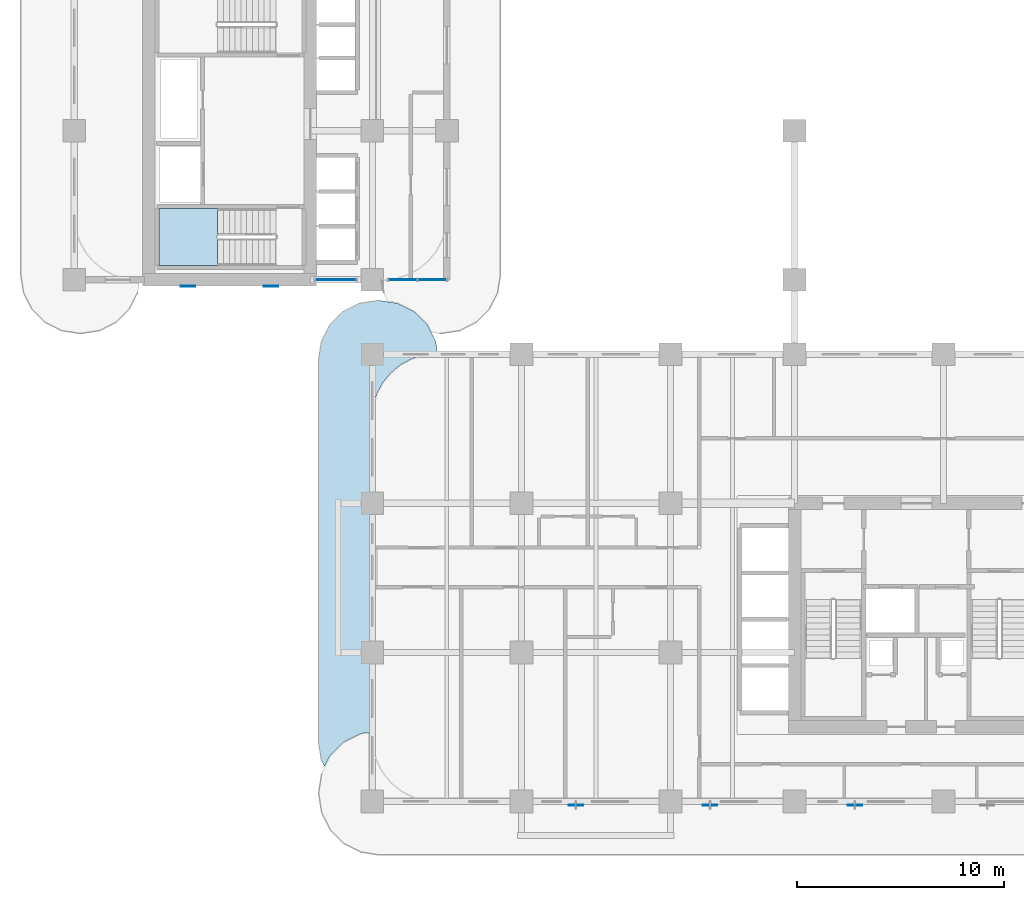
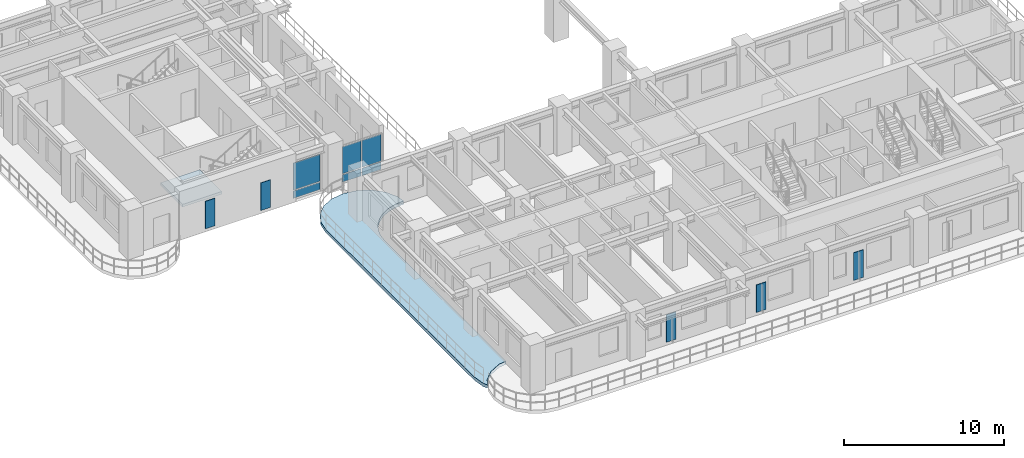
# One storey, part 4 of 19: 11 plates, 2 slabs, 3 elements without a shape of their own.
"""IFC4 building model written with IfcOpenShell, lengths in metres."""

from ifc_helpers import new_model, si_unit, derived_unit, direction, frame, origin, origin_2d, place, context, subcontext, project, spatial, polyline, rectangle, outline, extrude, source, transform, mapped, material, layer, layer_set, type_object, type_shapes, element, aggregate, save


model = new_model("IFC4")

# Units and contexts
model_context = context("Model", 3, precision=1e-05, world=origin(), true_north=direction((0.0, 1.0)))
body_context = subcontext(model_context, "Body", "Model", "MODEL_VIEW")
ifc_project = project(units=[si_unit("LENGTHUNIT", "METRE"), si_unit("AREAUNIT", "SQUARE_METRE"), si_unit("VOLUMEUNIT", "CUBIC_METRE"), si_unit("PLANEANGLEUNIT", "RADIAN"), si_unit("MASSUNIT", "GRAM", prefix="KILO"), si_unit("THERMODYNAMICTEMPERATUREUNIT", "KELVIN"), si_unit("POWERUNIT", "WATT"), derived_unit("THERMALTRANSMITTANCEUNIT", [(si_unit("POWERUNIT", "WATT"), 1), (si_unit("AREAUNIT", "SQUARE_METRE"), -1), (si_unit("THERMODYNAMICTEMPERATUREUNIT", "KELVIN"), -1)])], contexts=[model_context])

# Site, building, storey
site_placement = place(None, origin())
site = spatial("IfcSite", under=ifc_project, at=site_placement, CompositionType="ELEMENT")
building_placement = place(site_placement, origin())
building = spatial("IfcBuilding", under=site, at=building_placement, Name="Zahravan Archway Hotel and Residences", CompositionType="ELEMENT")
storey_placement = place(building_placement, frame((0.0, 0.0, 54.60009765625)))
storey = spatial("IfcBuildingStorey", under=building, at=storey_placement, Name="L12", CompositionType="ELEMENT", Elevation=54.60009765625)

# Slab
ifc_material_1 = material(Name="Concrete C45/55", Category="concrete")
ifc_layer_1 = layer(ifc_material_1, 0.25, Name="Concrete C45/55", Category="concrete")
ifc_layer_set_1 = layer_set([ifc_layer_1], Name="Concrete C45/55")
slab_type_1 = type_object("IfcSlabType", Name="SLB-BALC-250", PredefinedType="FLOOR", material=ifc_layer_set_1)
slab_1_placement = place(storey_placement, frame((0.0, 0.0, -0.25)))
element("IfcSlab", 1, at=slab_1_placement, inside=storey, type_object=slab_type_1, Name="L12 Wing A West Rounded Balcony Band", PredefinedType="FLOOR", context=body_context, shape_type="SweptSolid", body=[
    extrude(outline(polyline([(11.939453125, 1.96923828125), (11.800048828125, 2.85009765625), (11.800048828125, 21.35009765625), (11.939453125, 22.230712890625), (12.34423828125, 23.025146484375), (12.974853515625, 23.65576171875), (13.769287109375, 24.060546875), (14.64990234375, 24.199951171875), (14.75, 24.199951171875), (15.630615234375, 24.060546875), (16.42529296875, 23.65576171875), (17.0556640625, 23.025146484375), (17.46044921875, 22.230712890625), (17.55712890625, 21.6201171875), (17.5, 21.6201171875), (17.498046875, 21.619873046875), (16.893310546875, 21.560302734375), (16.891357421875, 21.56005859375), (16.889404296875, 21.5595703125), (16.307861328125, 21.383056640625), (16.305908203125, 21.382568359375), (16.30419921875, 21.381591796875), (15.768310546875, 21.09521484375), (15.7666015625, 21.09423828125), (15.764892578125, 21.093017578125), (15.29541015625, 20.70751953125), (15.2939453125, 20.7060546875), (15.29248046875, 20.70458984375), (14.906982421875, 20.235107421875), (14.90576171875, 20.2333984375), (14.90478515625, 20.231689453125), (14.618408203125, 19.69580078125), (14.617431640625, 19.694091796875), (14.616943359375, 19.692138671875), (14.4404296875, 19.110595703125), (14.43994140625, 19.108642578125), (14.439697265625, 19.106689453125), (14.380126953125, 18.501953125), (14.3798828125, 18.5), (14.3798828125, 3.361328125), (14.37890625, 3.361328125), (14.376953125, 3.361083984375), (13.835205078125, 3.275390625), (13.833251953125, 3.27490234375), (13.831298828125, 3.2744140625), (13.829345703125, 3.2734375), (13.0068359375, 2.8544921875), (13.005126953125, 2.853515625), (13.00341796875, 2.85205078125), (13.001953125, 2.8505859375), (12.349365234375, 2.197998046875), (12.347900390625, 2.196533203125), (12.3466796875, 2.19482421875), (12.345703125, 2.193115234375), (12.08544921875, 1.6826171875), (11.939453125, 1.96923828125)])), origin(), (0.0, 0.0, 1.0), 0.25),
])

# Stair, slab
ifc_material_2 = material(Name="Concrete C50/60", Category="concrete")
stair_type = type_object("IfcStairType", Name="STR-CORE-1300", PredefinedType="HALF_TURN_STAIR", material=ifc_material_2)
stair_placement = place(storey_placement, origin())
stair = element("IfcStair", 2, at=stair_placement, inside=storey, type_object=stair_type, Name="L12 Core B Exit Stair 1", PredefinedType="HALF_TURN_STAIR")
ifc_layer_2 = layer(ifc_material_2, 0.199951171875, Name="Concrete C50/60", Category="concrete")
ifc_layer_set_2 = layer_set([ifc_layer_2], Name="Concrete C50/60")
slab_type_2 = type_object("IfcSlabType", Name="SLB-LND-200", PredefinedType="LANDING", material=ifc_layer_set_2)
slab_2_placement = place(storey_placement, frame((0.0, 0.0, 1.64990234375)))
slab_2 = element("IfcSlab", 3, at=slab_2_placement, type_object=slab_type_2, Name="ST-B1 landing 1", PredefinedType="LANDING", context=body_context, shape_type="SweptSolid", body=[
    extrude(outline(polyline([(6.929931640625, 28.639892578125), (4.10009765625, 28.639892578125), (4.10009765625, 25.89990234375), (6.929931640625, 25.89990234375), (6.929931640625, 28.639892578125)])), origin(), (0.0, 0.0, 1.0), 0.199951171875),
])
aggregate(stair, [slab_2])

# Plates
ifc_material_3 = material(Name="Perforated Cast Bronze Jali Lattice")
ifc_layer_3 = layer(ifc_material_3, 0.044921875, Name="Perforated Cast Bronze Jali Lattice")
ifc_layer_set_3 = layer_set([ifc_layer_3], Name="Perforated Cast Bronze Jali Lattice")
plate_type_1 = type_object("IfcPlateType", Name="PLT-JALI-BAY", PredefinedType="USERDEFINED", material=ifc_layer_set_3)
shared_shape_1 = source(origin(), body_context, "Body", "SweptSolid", [
    extrude(rectangle(XDim=0.699951171875, YDim=0.044921875, at=origin_2d()), origin(), (0.0, 0.0, 1.0), 2.10009765625),
])
type_shapes(plate_type_1, [shared_shape_1])
for number, where, z_axis, x_axis, name in (
    (4, (5.5, 24.882080078125, 0.249755859375), (0.0, 0.0, 1.0), (1.0, 0.0, 0.0), "L12 Core B South Mughal Jali Screen 1"),
    (5, (9.5, 24.882080078125, 0.249755859375), (0.0, 0.0, 1.0), (1.0, 0.0, 0.0), "L12 Core B South Mughal Jali Screen 2"),
    (6, (24.22802734375, -0.177978515625, 0.249755859375), (0.0, 0.0, 1.0), (1.0, 0.0, 0.0), "L12 Perforated Bronze Jali Pier Screen 01"),
    (7, (30.7080078125, -0.177978515625, 0.249755859375), (0.0, 0.0, 1.0), (1.0, 0.0, 0.0), "L12 Perforated Bronze Jali Pier Screen 02"),
    (8, (37.7080078125, -0.177978515625, 0.249755859375), (0.0, 0.0, 1.0), (1.0, 0.0, 0.0), "L12 Perforated Bronze Jali Pier Screen 03"),
):
    element("IfcPlate", number, at=place(storey_placement, frame(where, z_axis=z_axis, x_axis=x_axis)), inside=storey, type_object=plate_type_1, Name=name, ObjectType="SCREEN", PredefinedType="USERDEFINED", context=body_context, shape_type="MappedRepresentation", body=[
        mapped(shared_shape_1, transform((0.0, 0.0, 0.0), scale=1.0)),
    ])

# Curtain wall, plates
ifc_material_4 = material(Name="Bronze-Anodized Unitised Aluminium & Low-E Glass", Category="aluminium")
ifc_layer_4 = layer(ifc_material_4, 0.179931640625, Name="Bronze-Anodized Unitised Aluminium & Low-E Glass", Category="aluminium")
ifc_layer_set_4 = layer_set([ifc_layer_4], Name="Bronze-Anodized Unitised Aluminium & Low-E Glass")
curtain_wall_type = type_object("IfcCurtainWallType", Name="CW-TWR-FEAT", PredefinedType="NOTDEFINED", material=ifc_layer_set_4)
curtain_wall_1_placement = place(storey_placement, origin())
curtain_wall_1 = element("IfcCurtainWall", 9, at=curtain_wall_1_placement, inside=storey, type_object=curtain_wall_type, Name="L12 Curtain Wall CW-L12-WB-SE-1", PredefinedType="NOTDEFINED")
ifc_material_5 = material(Name="Insulated Terracotta Spandrel Panel", Category="masonry")
ifc_layer_5 = layer(ifc_material_5, 0.0400390625, Name="Insulated Terracotta Spandrel Panel", Category="masonry")
ifc_layer_set_5 = layer_set([ifc_layer_5], Name="Insulated Terracotta Spandrel Panel")
plate_type_2 = type_object("IfcPlateType", Name="CWP-SPN-40", PredefinedType="SHEET", material=ifc_layer_set_5)
shared_shape_2 = source(origin(), body_context, "Body", "SweptSolid", [
    extrude(rectangle(XDim=1.93994140625, YDim=0.0400390625, at=origin_2d()), origin(), (0.0, 0.0, 1.0), 0.552490234375),
])
plate_1_placement = place(storey_placement, frame((12.6298828125, 25.199951171875, 0.10009765625), z_axis=(0.0, 0.0, 1.0), x_axis=(1.0, 0.0, 0.0)))
plate_1 = element("IfcPlate", 10, at=plate_1_placement, type_object=plate_type_2, Name="CW-L12-WB-SE-1 Spandrel Panel 0", PredefinedType="SHEET", context=body_context, shape_type="MappedRepresentation", body=[
    mapped(shared_shape_2, transform((0.0, 0.0, 0.0), scale=1.0)),
])
ifc_material_6 = material(Name="Double-Silver Low-E Insulated Vision Glass", Category="glass")
ifc_layer_6 = layer(ifc_material_6, 0.028076171875, Name="Double-Silver Low-E Insulated Vision Glass", Category="glass")
ifc_layer_set_6 = layer_set([ifc_layer_6], Name="Double-Silver Low-E Insulated Vision Glass")
plate_type_3 = type_object("IfcPlateType", Name="CWP-GLZ-28", PredefinedType="CURTAIN_PANEL", material=ifc_layer_set_6)
shared_shape_3 = source(origin(), body_context, "Body", "SweptSolid", [
    extrude(rectangle(XDim=1.93994140625, YDim=0.028076171875, at=origin_2d()), origin(), (0.0, 0.0, 1.0), 2.052490234375),
])
plate_2_placement = place(storey_placement, frame((12.6298828125, 25.199951171875, 0.732421875), z_axis=(0.0, 0.0, 1.0), x_axis=(1.0, 0.0, 0.0)))
plate_2 = element("IfcPlate", 11, at=plate_2_placement, type_object=plate_type_3, Name="CW-L12-WB-SE-1 Low-E Vision Panel 0", PredefinedType="CURTAIN_PANEL", context=body_context, shape_type="MappedRepresentation", body=[
    mapped(shared_shape_3, transform((0.0, 0.0, 0.0), scale=1.0)),
])
aggregate(curtain_wall_1, [plate_1, plate_2])

curtain_wall_2_placement = place(storey_placement, origin())
curtain_wall_2 = element("IfcCurtainWall", 12, at=curtain_wall_2_placement, inside=storey, type_object=curtain_wall_type, Name="L12 Curtain Wall CW-L12-WB-SE-2", PredefinedType="NOTDEFINED")
shared_shape_4 = source(origin(), body_context, "Body", "SweptSolid", [
    extrude(rectangle(XDim=1.340087890625, YDim=0.0400390625, at=origin_2d()), origin(), (0.0, 0.0, 1.0), 0.552490234375),
])
plate_3_placement = place(storey_placement, frame((15.8701171875, 25.199951171875, 0.10009765625), z_axis=(0.0, 0.0, 1.0), x_axis=(1.0, 0.0, 0.0)))
plate_3 = element("IfcPlate", 13, at=plate_3_placement, type_object=plate_type_2, Name="CW-L12-WB-SE-2 Spandrel Panel 0", PredefinedType="SHEET", context=body_context, shape_type="MappedRepresentation", body=[
    mapped(shared_shape_4, transform((0.0, 0.0, 0.0), scale=1.0)),
])
plate_4_placement = place(storey_placement, frame((17.2900390625, 25.199951171875, 0.10009765625), z_axis=(0.0, 0.0, 1.0), x_axis=(1.0, 0.0, 0.0)))
plate_4 = element("IfcPlate", 14, at=plate_4_placement, type_object=plate_type_2, Name="CW-L12-WB-SE-2 Spandrel Panel 1", PredefinedType="SHEET", context=body_context, shape_type="MappedRepresentation", body=[
    mapped(shared_shape_4, transform((0.0, 0.0, 0.0), scale=1.0)),
])
shared_shape_5 = source(origin(), body_context, "Body", "SweptSolid", [
    extrude(rectangle(XDim=1.340087890625, YDim=0.028076171875, at=origin_2d()), origin(), (0.0, 0.0, 1.0), 2.052490234375),
])
plate_5_placement = place(storey_placement, frame((15.8701171875, 25.199951171875, 0.732421875), z_axis=(0.0, 0.0, 1.0), x_axis=(1.0, 0.0, 0.0)))
plate_5 = element("IfcPlate", 15, at=plate_5_placement, type_object=plate_type_3, Name="CW-L12-WB-SE-2 Low-E Vision Panel 0", PredefinedType="CURTAIN_PANEL", context=body_context, shape_type="MappedRepresentation", body=[
    mapped(shared_shape_5, transform((0.0, 0.0, 0.0), scale=1.0)),
])
plate_6_placement = place(storey_placement, frame((17.2900390625, 25.199951171875, 0.732421875), z_axis=(0.0, 0.0, 1.0), x_axis=(1.0, 0.0, 0.0)))
plate_6 = element("IfcPlate", 16, at=plate_6_placement, type_object=plate_type_3, Name="CW-L12-WB-SE-2 Low-E Vision Panel 1", PredefinedType="CURTAIN_PANEL", context=body_context, shape_type="MappedRepresentation", body=[
    mapped(shared_shape_5, transform((0.0, 0.0, 0.0), scale=1.0)),
])
aggregate(curtain_wall_2, [plate_3, plate_5, plate_4, plate_6])

save(model, "model.ifc")
